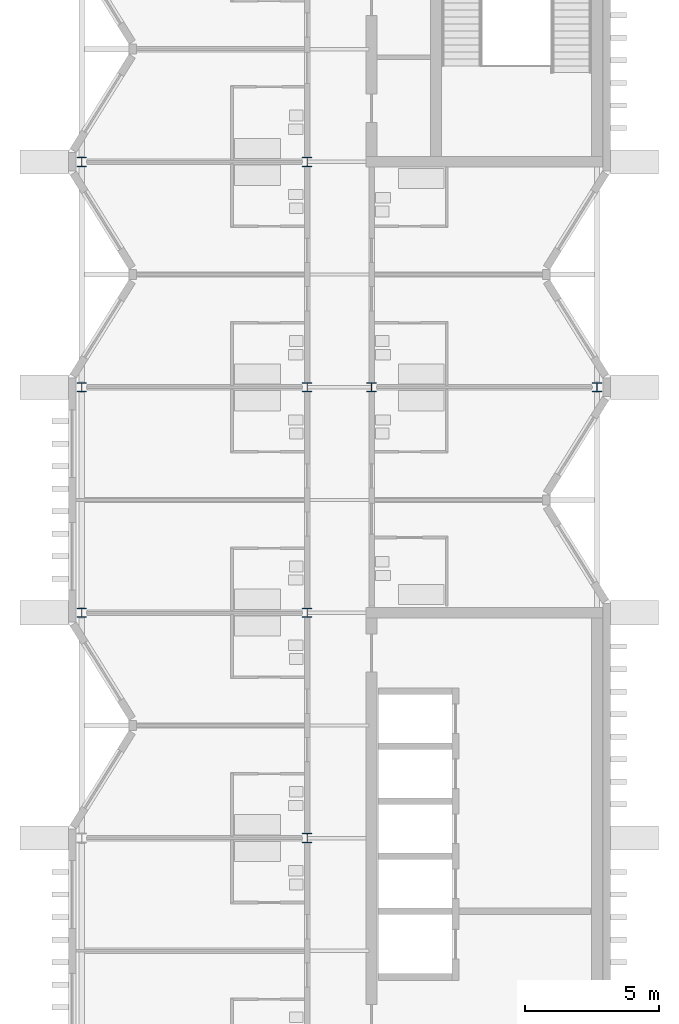
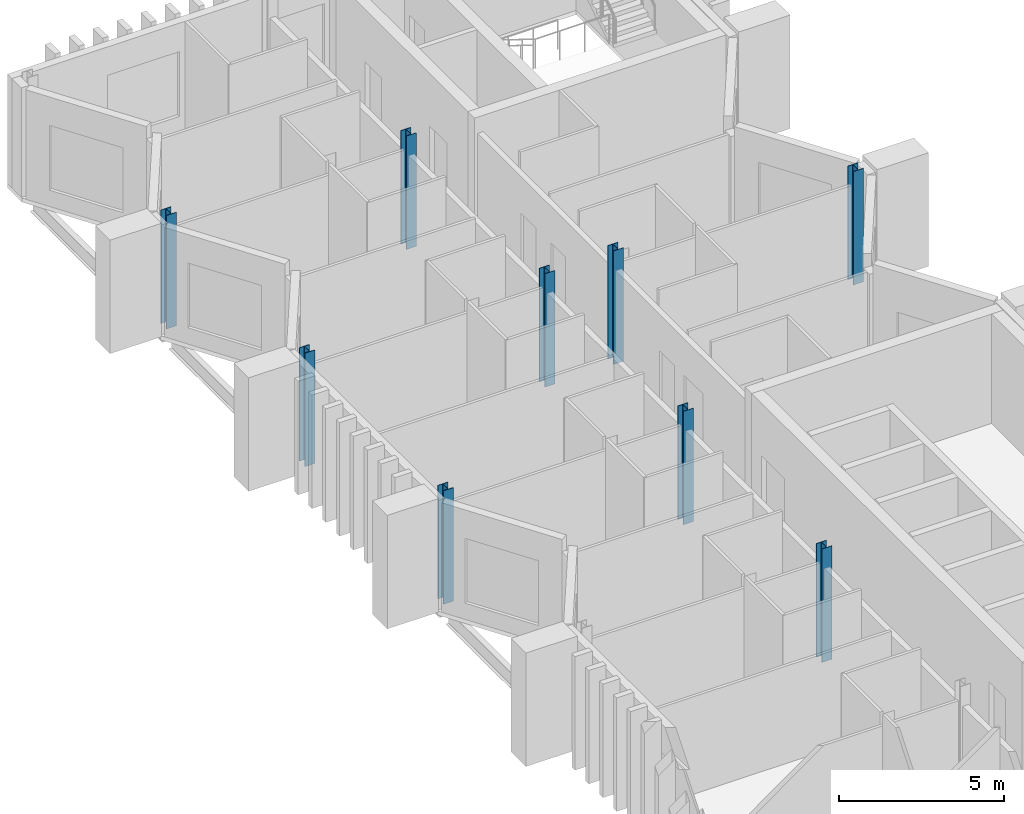
# One storey, part 2 of 11: 9 columns.
"""IFC4 building model written with IfcOpenShell, lengths in metres."""

from ifc_helpers import new_model, si_unit, direction, frame, origin, origin_2d, place, context, subcontext, project, spatial, i_section, extrude, material, material_profile, profile_set, type_object, element, save


model = new_model("IFC4")

# Units and contexts
model_context = context("Model", 3, precision=1e-05, world=origin(), true_north=direction((0.0, 1.0)))
body_context = subcontext(model_context, "Body", "Model", "MODEL_VIEW")
ifc_project = project(units=[si_unit("LENGTHUNIT", "METRE"), si_unit("AREAUNIT", "SQUARE_METRE"), si_unit("VOLUMEUNIT", "CUBIC_METRE"), si_unit("PLANEANGLEUNIT", "RADIAN"), si_unit("MASSUNIT", "GRAM", prefix="KILO")], contexts=[model_context])

# Site, building, storey
site_placement = place(None, origin())
site = spatial("IfcSite", under=ifc_project, at=site_placement, CompositionType="ELEMENT")
building_placement = place(site_placement, origin())
building = spatial("IfcBuilding", under=site, at=building_placement, Name="Cresset Court Congress Hotel", CompositionType="ELEMENT")
storey_placement = place(building_placement, frame((0.0, 0.0, 39.60009765625)))
storey = spatial("IfcBuildingStorey", under=building, at=storey_placement, Name="L09", CompositionType="ELEMENT", Elevation=39.60009765625)

# Columns
ifc_material = material(Name="Structural steel Q355B", Category="steel")
ifc_material_profile = material_profile(ifc_material, i_section(OverallWidth=0.35009765625, OverallDepth=0.35009765625, WebThickness=0.011962890625, FlangeThickness=0.01904296875, FilletRadius=0.012939453125, at=origin_2d()), Name="HW350x350x12x19")
ifc_profile_set = profile_set([ifc_material_profile], Name="Structural steel Q355B")
column_type = type_object("IfcColumnType", Name="Steel column HW350x350x12x19", PredefinedType="COLUMN", material=ifc_profile_set)
for number, where, z_axis, x_axis, name in (
    (1, (157.199951171875, 42.0, 0.0), (0.0, 0.0, 1.0), (1.0, 0.0, 0.0), "Column L09 6-20"),
    (2, (157.199951171875, 50.39990234375, 0.0), (0.0, 0.0, 1.0), (1.0, 0.0, 0.0), "Column L09 7-20"),
    (3, (157.199951171875, 58.800048828125, 0.0), (0.0, 0.0, 1.0), (1.0, 0.0, 0.0), "Column L09 8-20"),
    (4, (165.60009765625, 33.60009765625, 0.0), (0.0, 0.0, 1.0), (1.0, 0.0, 0.0), "Column L09 5-21"),
    (5, (165.60009765625, 42.0, 0.0), (0.0, 0.0, 1.0), (1.0, 0.0, 0.0), "Column L09 6-21"),
    (6, (165.60009765625, 50.39990234375, 0.0), (0.0, 0.0, 1.0), (1.0, 0.0, 0.0), "Column L09 7-21"),
    (7, (165.60009765625, 58.800048828125, 0.0), (0.0, 0.0, 1.0), (1.0, 0.0, 0.0), "Column L09 8-21"),
    (8, (168.0, 50.39990234375, 0.0), (0.0, 0.0, 1.0), (1.0, 0.0, 0.0), "Column L09 7-22"),
    (9, (176.39990234375, 50.39990234375, 0.0), (0.0, 0.0, 1.0), (1.0, 0.0, 0.0), "Column L09 7-23"),
):
    element("IfcColumn", number, at=place(storey_placement, frame(where, z_axis=z_axis, x_axis=x_axis)), inside=storey, type_object=column_type, Name=name, PredefinedType="COLUMN", context=body_context, shape_type="SweptSolid", body=[
        extrude(i_section(OverallWidth=0.35009765625, OverallDepth=0.35009765625, WebThickness=0.011962890625, FlangeThickness=0.01904296875, FilletRadius=0.012939453125, at=origin_2d()), origin(), (0.0, 0.0, 1.0), 4.199951171875),
    ])

save(model, "model.ifc")
